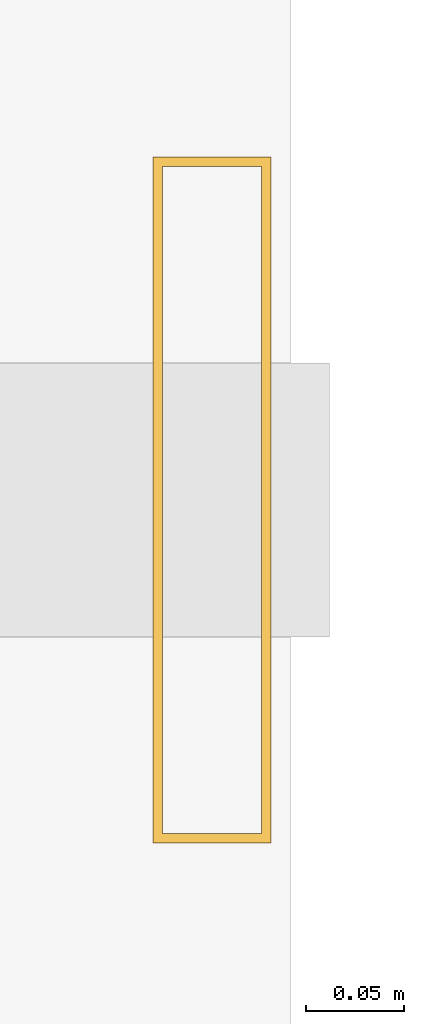
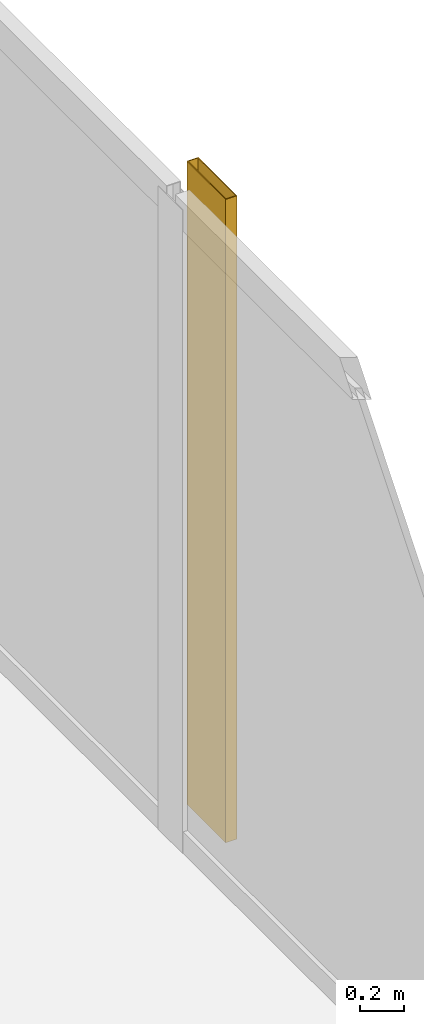
# One storey, part 30 of 30: 1 shading device.
"""IFC4 building model written with IfcOpenShell, lengths in metres."""

from ifc_helpers import new_model, si_unit, direction, frame, origin, origin_2d, place, context, subcontext, project, spatial, hollow_rectangle, extrude, material, material_profile, profile_set, type_object, element, save


model = new_model("IFC4")

# Units and contexts
model_context = context("Model", 3, precision=1e-05, world=origin(), true_north=direction((0.0, 1.0)))
body_context = subcontext(model_context, "Body", "Model", "MODEL_VIEW")
ifc_project = project(units=[si_unit("LENGTHUNIT", "METRE"), si_unit("AREAUNIT", "SQUARE_METRE"), si_unit("VOLUMEUNIT", "CUBIC_METRE"), si_unit("PLANEANGLEUNIT", "RADIAN"), si_unit("MASSUNIT", "GRAM", prefix="KILO")], contexts=[model_context])

# Site, building, storey
site_placement = place(None, origin())
site = spatial("IfcSite", under=ifc_project, at=site_placement, CompositionType="ELEMENT")
building_placement = place(site_placement, origin())
building = spatial("IfcBuilding", under=site, at=building_placement, Name="Kolvaren Waterfront Exchange", CompositionType="ELEMENT")
storey_placement = place(building_placement, frame((0.0, 0.0, 71.39990234375)))
storey = spatial("IfcBuildingStorey", under=building, at=storey_placement, Name="L18", CompositionType="ELEMENT", Elevation=71.39990234375)

# Shading device
ifc_material = material(Name="Anodised bronze aluminium 6063-T6", Category="aluminium")
ifc_material_profile = material_profile(ifc_material, hollow_rectangle(XDim=0.06005859375, YDim=0.35009765625, WallThickness=0.0048828125, at=origin_2d()), Name="BRZ-FIN-350x60x5")
ifc_profile_set = profile_set([ifc_material_profile], Name="Anodised bronze aluminium 6063-T6")
shading_device_type = type_object("IfcShadingDeviceType", Name="ARC-FIN-350", PredefinedType="USERDEFINED", material=ifc_profile_set)
shading_device_placement = place(storey_placement, frame((25.56005859375, 36.0, 0.0), z_axis=(0.0, 0.0, 1.0), x_axis=(1.0, 0.0, 0.0)))
element("IfcShadingDevice", 1, at=shading_device_placement, inside=storey, type_object=shading_device_type, Name="L18 anodised bronze solar shading fin FIN-L18-E3", ObjectType="SOLAR FIN", PredefinedType="USERDEFINED", context=body_context, shape_type="SweptSolid", body=[
    extrude(hollow_rectangle(XDim=0.06005859375, YDim=0.35009765625, WallThickness=0.0048828125, at=origin_2d()), origin(), (0.0, 0.0, 1.0), 3.5400390625),
])

save(model, "model.ifc")
